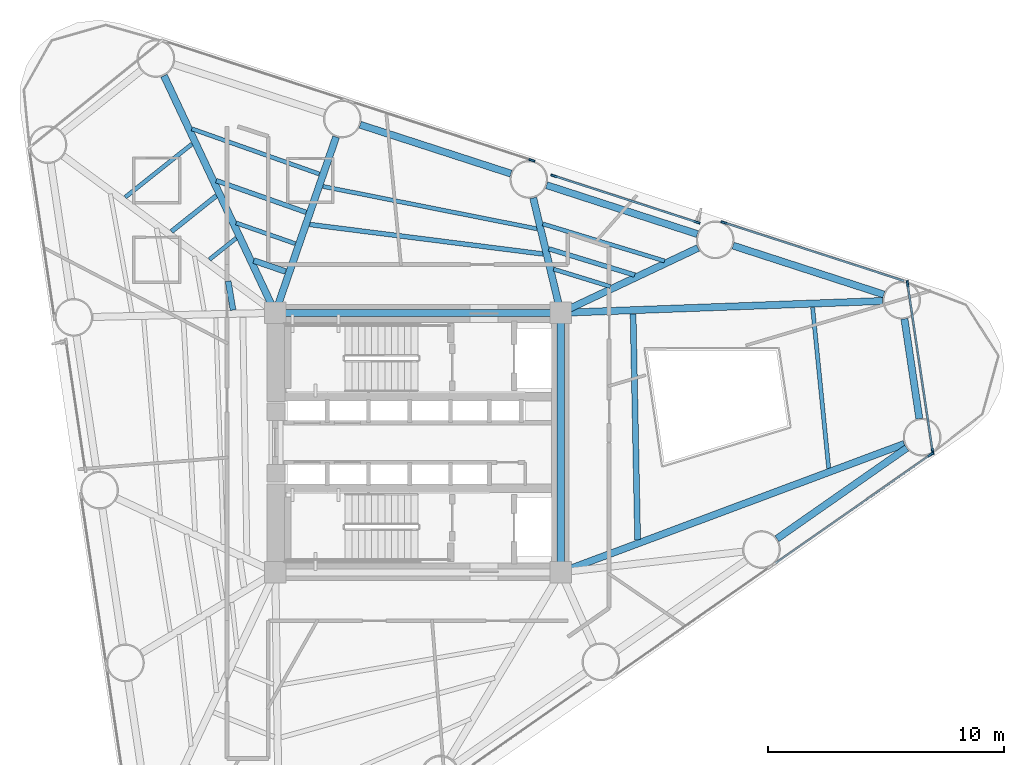
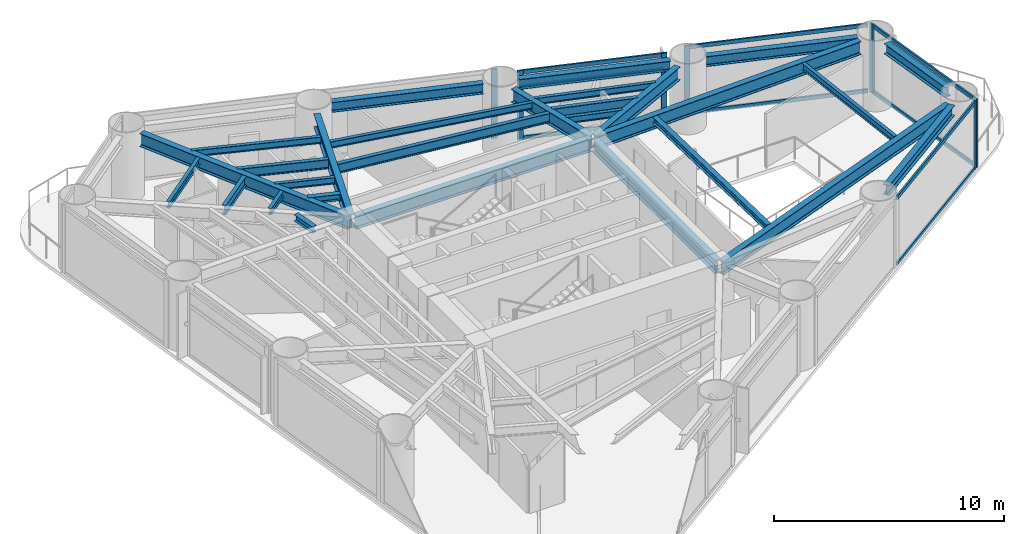
# One storey, part 3 of 9: 28 beams, 16 members, 5 elements without a shape of their own.
"""IFC4 building model written with IfcOpenShell, lengths in metres."""

from ifc_helpers import new_model, si_unit, direction, frame, origin, origin_2d, place, context, subcontext, project, spatial, rectangle, i_section, extrude, source, transform, mapped, material, layer, layer_set, material_profile, profile_set, type_object, element, aggregate, save


model = new_model("IFC4")

# Units and contexts
model_context = context("Model", 3, precision=1e-05, world=origin(), true_north=direction((0.0, 1.0)))
body_context = subcontext(model_context, "Body", "Model", "MODEL_VIEW")
ifc_project = project(units=[si_unit("LENGTHUNIT", "METRE"), si_unit("AREAUNIT", "SQUARE_METRE"), si_unit("VOLUMEUNIT", "CUBIC_METRE"), si_unit("PLANEANGLEUNIT", "RADIAN"), si_unit("MASSUNIT", "GRAM", prefix="KILO")], contexts=[model_context])

# Site, building, storey
site_placement = place(None, origin())
site = spatial("IfcSite", under=ifc_project, at=site_placement, CompositionType="ELEMENT")
building_placement = place(site_placement, origin())
building = spatial("IfcBuilding", under=site, at=building_placement, Name="Yunling Apex Tower", CompositionType="ELEMENT")
storey_placement = place(building_placement, frame((0.0, 0.0, 73.550048828125)))
storey = spatial("IfcBuildingStorey", under=building, at=storey_placement, Name="L19", CompositionType="ELEMENT", Elevation=73.550048828125)

# Beams
ifc_material_1 = material(Name="Steel Q355B", Category="steel")
ifc_material_profile_1 = material_profile(ifc_material_1, i_section(OverallWidth=0.300048828125, OverallDepth=0.699951171875, WebThickness=0.012939453125, FlangeThickness=0.02392578125, FilletRadius=0.02587890625, at=origin_2d()))
ifc_profile_set_1 = profile_set([ifc_material_profile_1], Name="Steel Q355B")
beam_type_1 = type_object("IfcBeamType", Name="BG-PRI-3", PredefinedType="USERDEFINED", material=ifc_profile_set_1)
shared_shape_1 = source(origin(), body_context, "Body", "SweptSolid", [
    extrude(i_section(OverallWidth=0.300048828125, OverallDepth=0.699951171875, WebThickness=0.012939453125, FlangeThickness=0.02392578125, FilletRadius=0.02587890625, at=origin_2d()), origin(), (0.0, 0.0, 1.0), 11.7998046875),
])
beam_1_placement = place(storey_placement, frame((5.89990234375, 5.5, 3.21484375), z_axis=(-1.0, 0.0, 0.0), x_axis=(0.0, -1.0, 0.0)))
element("IfcBeam", 1, at=beam_1_placement, inside=storey, type_object=beam_type_1, Name="L19 Core Ring Tie Beam 3", ObjectType="GIRDER", PredefinedType="USERDEFINED", context=body_context, shape_type="MappedRepresentation", body=[
    mapped(shared_shape_1, transform((0.0, 0.0, 0.0), scale=1.0)),
])
shared_shape_2 = source(origin(), body_context, "Body", "SweptSolid", [
    extrude(i_section(OverallWidth=0.300048828125, OverallDepth=0.699951171875, WebThickness=0.012939453125, FlangeThickness=0.02392578125, FilletRadius=0.02587890625, at=origin_2d()), origin(), (0.0, 0.0, 1.0), 10.7001953125),
])
beam_2_placement = place(storey_placement, frame((6.050048828125, -5.35009765625, 3.21484375), z_axis=(0.0, 1.0, 0.0), x_axis=(-1.0, 0.0, 0.0)))
element("IfcBeam", 2, at=beam_2_placement, inside=storey, type_object=beam_type_1, Name="L19 Core Ring Tie Beam 2", ObjectType="GIRDER", PredefinedType="USERDEFINED", context=body_context, shape_type="MappedRepresentation", body=[
    mapped(shared_shape_2, transform((0.0, 0.0, 0.0), scale=1.0)),
])
ifc_material_profile_2 = material_profile(ifc_material_1, i_section(OverallWidth=0.300048828125, OverallDepth=0.5400390625, WebThickness=0.011962890625, FlangeThickness=0.02001953125, FilletRadius=0.02392578125, at=origin_2d()))
ifc_profile_set_2 = profile_set([ifc_material_profile_2], Name="Steel Q355B")
beam_type_2 = type_object("IfcBeamType", Name="BP-SPN-1", PredefinedType="SPANDREL", material=ifc_profile_set_2)
shared_shape_3 = source(origin(), body_context, "Body", "SweptSolid", [
    extrude(i_section(OverallWidth=0.300048828125, OverallDepth=0.5400390625, WebThickness=0.011962890625, FlangeThickness=0.02001953125, FilletRadius=0.02392578125, at=origin_2d()), origin(), (0.0, 0.0, 1.0), 6.721435546875),
])
for number, where, z_axis, x_axis, name in (
    (3, (15.212158203125, -4.08056640625, 3.294921875), (0.81955772083, 0.572996633697, 0.0), (-0.572996633697, 0.81955772083, 0.0), "L19 Perimeter Spandrel Beam 4"),
    (4, (19.748291015625, 6.277099609375, 3.294921875), (-0.95126256707, 0.308382114415, 0.0), (-0.308382114415, -0.95126256707, 0.0), "L19 Perimeter Spandrel Beam 6"),
    (5, (3.939453125, 11.401611328125, 3.294921875), (-0.95126256707, 0.308382114415, 0.0), (-0.308382114415, -0.95126256707, 0.0), "L19 Perimeter Spandrel Beam 8"),
):
    element("IfcBeam", number, at=place(storey_placement, frame(where, z_axis=z_axis, x_axis=x_axis)), inside=storey, type_object=beam_type_2, Name=name, PredefinedType="SPANDREL", context=body_context, shape_type="MappedRepresentation", body=[
        mapped(shared_shape_3, transform((0.0, 0.0, 0.0), scale=1.0)),
    ])
shared_shape_4 = source(origin(), body_context, "Body", "SweptSolid", [
    extrude(i_section(OverallWidth=0.300048828125, OverallDepth=0.5400390625, WebThickness=0.011962890625, FlangeThickness=0.02001953125, FilletRadius=0.02392578125, at=origin_2d()), origin(), (0.0, 0.0, 1.0), 4.283203125),
])
beam_3_placement = place(storey_placement, frame((21.25390625, 1.010986328125, 3.294921875), z_axis=(-0.147802479388, 0.989016899293, 0.0), x_axis=(-0.989016899293, -0.147802479388, 0.0)))
element("IfcBeam", 6, at=beam_3_placement, inside=storey, type_object=beam_type_2, Name="L19 Perimeter Spandrel Beam 5", PredefinedType="SPANDREL", context=body_context, shape_type="MappedRepresentation", body=[
    mapped(shared_shape_4, transform((0.0, 0.0, 0.0), scale=1.0)),
])
shared_shape_5 = source(origin(), body_context, "Body", "SweptSolid", [
    extrude(i_section(OverallWidth=0.300048828125, OverallDepth=0.5400390625, WebThickness=0.011962890625, FlangeThickness=0.02001953125, FilletRadius=0.02392578125, at=origin_2d()), origin(), (0.0, 0.0, 1.0), 6.72119140625),
])
beam_4_placement = place(storey_placement, frame((11.84375, 8.83935546875, 3.294921875), z_axis=(-0.951259112593, 0.308392770197, 0.0), x_axis=(-0.308392770197, -0.951259112593, 0.0)))
element("IfcBeam", 7, at=beam_4_placement, inside=storey, type_object=beam_type_2, Name="L19 Perimeter Spandrel Beam 7", PredefinedType="SPANDREL", context=body_context, shape_type="MappedRepresentation", body=[
    mapped(shared_shape_5, transform((0.0, 0.0, 0.0), scale=1.0)),
])
shared_shape_6 = source(origin(), body_context, "Body", "SweptSolid", [
    extrude(i_section(OverallWidth=0.300048828125, OverallDepth=0.699951171875, WebThickness=0.012939453125, FlangeThickness=0.02392578125, FilletRadius=0.02587890625, at=origin_2d()), origin(), (0.0, 0.0, 1.0), 15.46826171875),
])
beam_5_placement = place(storey_placement, frame((20.614501953125, -0.05712890625, 3.21484375), z_axis=(-0.936727481876, -0.350059458804, 0.0), x_axis=(0.350059458804, -0.936727481876, 0.0)))
element("IfcBeam", 8, at=beam_5_placement, inside=storey, type_object=beam_type_1, Name="L19 Radial Primary Girder R05", ObjectType="GIRDER", PredefinedType="USERDEFINED", context=body_context, shape_type="MappedRepresentation", body=[
    mapped(shared_shape_6, transform((0.0, 0.0, 0.0), scale=1.0)),
])
shared_shape_7 = source(origin(), body_context, "Body", "SweptSolid", [
    extrude(i_section(OverallWidth=0.300048828125, OverallDepth=0.699951171875, WebThickness=0.012939453125, FlangeThickness=0.02392578125, FilletRadius=0.02587890625, at=origin_2d()), origin(), (0.0, 0.0, 1.0), 13.575439453125),
])
beam_6_placement = place(storey_placement, frame((19.696044921875, 6.002685546875, 3.21484375), z_axis=(-0.99932215556, -0.036813440575, 0.0), x_axis=(0.036813440575, -0.99932215556, 0.0)))
element("IfcBeam", 9, at=beam_6_placement, inside=storey, type_object=beam_type_1, Name="L19 Radial Primary Girder R06", ObjectType="GIRDER", PredefinedType="USERDEFINED", context=body_context, shape_type="MappedRepresentation", body=[
    mapped(shared_shape_7, transform((0.0, 0.0, 0.0), scale=1.0)),
])
shared_shape_8 = source(origin(), body_context, "Body", "SweptSolid", [
    extrude(i_section(OverallWidth=0.300048828125, OverallDepth=0.699951171875, WebThickness=0.012939453125, FlangeThickness=0.02392578125, FilletRadius=0.02587890625, at=origin_2d()), origin(), (0.0, 0.0, 1.0), 6.35546875),
])
beam_7_placement = place(storey_placement, frame((11.86865234375, 8.24951171875, 3.21484375), z_axis=(-0.90414025985, -0.427235755196, 0.0), x_axis=(0.427235755196, -0.90414025985, 0.0)))
element("IfcBeam", 10, at=beam_7_placement, inside=storey, type_object=beam_type_1, Name="L19 Radial Primary Girder R07", ObjectType="GIRDER", PredefinedType="USERDEFINED", context=body_context, shape_type="MappedRepresentation", body=[
    mapped(shared_shape_8, transform((0.0, 0.0, 0.0), scale=1.0)),
])
shared_shape_9 = source(origin(), body_context, "Body", "SweptSolid", [
    extrude(i_section(OverallWidth=0.300048828125, OverallDepth=0.699951171875, WebThickness=0.012939453125, FlangeThickness=0.02392578125, FilletRadius=0.02587890625, at=origin_2d()), origin(), (0.0, 0.0, 1.0), 4.928955078125),
])
beam_8_placement = place(storey_placement, frame((4.883056640625, 10.37109375, 3.21484375), z_axis=(0.233002001977, -0.972476255276, 0.0), x_axis=(0.972476255276, 0.233002001977, 0.0)))
element("IfcBeam", 11, at=beam_8_placement, inside=storey, type_object=beam_type_1, Name="L19 Radial Primary Girder R08", ObjectType="GIRDER", PredefinedType="USERDEFINED", context=body_context, shape_type="MappedRepresentation", body=[
    mapped(shared_shape_9, transform((0.0, 0.0, 0.0), scale=1.0)),
])
shared_shape_10 = source(origin(), body_context, "Body", "SweptSolid", [
    extrude(i_section(OverallWidth=0.300048828125, OverallDepth=0.699951171875, WebThickness=0.012939453125, FlangeThickness=0.02392578125, FilletRadius=0.02587890625, at=origin_2d()), origin(), (0.0, 0.0, 1.0), 7.807861328125),
])
beam_9_placement = place(storey_placement, frame((-3.473388671875, 12.955322265625, 3.21484375), z_axis=(-0.326658398033, -0.945142471268, 0.0), x_axis=(0.945142471268, -0.326658398033, 0.0)))
element("IfcBeam", 12, at=beam_9_placement, inside=storey, type_object=beam_type_1, Name="L19 Radial Primary Girder R09", ObjectType="GIRDER", PredefinedType="USERDEFINED", context=body_context, shape_type="MappedRepresentation", body=[
    mapped(shared_shape_10, transform((0.0, 0.0, 0.0), scale=1.0)),
])
shared_shape_11 = source(origin(), body_context, "Body", "SweptSolid", [
    extrude(i_section(OverallWidth=0.300048828125, OverallDepth=0.699951171875, WebThickness=0.012939453125, FlangeThickness=0.02392578125, FilletRadius=0.02587890625, at=origin_2d()), origin(), (0.0, 0.0, 1.0), 11.0234375),
])
beam_10_placement = place(storey_placement, frame((-10.7705078125, 15.550048828125, 3.21484375), z_axis=(0.425144169149, -0.905125646216, 0.0), x_axis=(0.905125646216, 0.425144169149, 0.0)))
element("IfcBeam", 13, at=beam_10_placement, inside=storey, type_object=beam_type_1, Name="L19 Radial Primary Girder R10", ObjectType="GIRDER", PredefinedType="USERDEFINED", context=body_context, shape_type="MappedRepresentation", body=[
    mapped(shared_shape_11, transform((0.0, 0.0, 0.0), scale=1.0)),
])
ifc_material_profile_3 = material_profile(ifc_material_1, i_section(OverallWidth=0.175048828125, OverallDepth=0.35009765625, WebThickness=0.007080078125, FlangeThickness=0.010986328125, FilletRadius=0.013916015625, at=origin_2d()))
ifc_profile_set_3 = profile_set([ifc_material_profile_3], Name="Steel Q355B")
beam_type_3 = type_object("IfcBeamType", Name="BJ-JST-1", PredefinedType="JOIST", material=ifc_profile_set_3)
shared_shape_12 = source(origin(), body_context, "Body", "SweptSolid", [
    extrude(i_section(OverallWidth=0.175048828125, OverallDepth=0.35009765625, WebThickness=0.007080078125, FlangeThickness=0.010986328125, FilletRadius=0.013916015625, at=origin_2d()), origin(), (0.0, 0.0, 1.0), 6.856689453125),
])
beam_11_placement = place(storey_placement, frame((17.410888671875, -1.089111328125, 3.389892578125), z_axis=(-0.099697612772, 0.995017781754, 0.0), x_axis=(-0.995017781754, -0.099697612772, 0.0)))
element("IfcBeam", 14, at=beam_11_placement, inside=storey, type_object=beam_type_3, Name="L19 Composite Floor Joist BJ1-5", PredefinedType="JOIST", context=body_context, shape_type="MappedRepresentation", body=[
    mapped(shared_shape_12, transform((0.0, 0.0, 0.0), scale=1.0)),
])
ifc_material_profile_4 = material_profile(ifc_material_1, i_section(OverallWidth=0.25, OverallDepth=0.340087890625, WebThickness=0.009033203125, FlangeThickness=0.013916015625, FilletRadius=0.01806640625, at=origin_2d()))
ifc_profile_set_4 = profile_set([ifc_material_profile_4], Name="Steel Q355B")
beam_type_4 = type_object("IfcBeamType", Name="BJ-JST-2", PredefinedType="JOIST", material=ifc_profile_set_4)
shared_shape_13 = source(origin(), body_context, "Body", "SweptSolid", [
    extrude(i_section(OverallWidth=0.25, OverallDepth=0.340087890625, WebThickness=0.009033203125, FlangeThickness=0.013916015625, FilletRadius=0.01806640625, at=origin_2d()), origin(), (0.0, 0.0, 1.0), 9.57568359375),
])
beam_12_placement = place(storey_placement, frame((9.309326171875, -4.120849609375, 3.39501953125), z_axis=(-0.020014350968, 0.999799692816, 0.0), x_axis=(-0.999799692816, -0.020014350968, 0.0)))
element("IfcBeam", 15, at=beam_12_placement, inside=storey, type_object=beam_type_4, Name="L19 Composite Floor Joist BJ2-5", PredefinedType="JOIST", context=body_context, shape_type="MappedRepresentation", body=[
    mapped(shared_shape_13, transform((0.0, 0.0, 0.0), scale=1.0)),
])
ifc_material_profile_5 = material_profile(ifc_material_1, i_section(OverallWidth=0.199951171875, OverallDepth=0.5, WebThickness=0.010009765625, FlangeThickness=0.01611328125, FilletRadius=0.02001953125, at=origin_2d()))
ifc_profile_set_5 = profile_set([ifc_material_profile_5], Name="Steel Q355B")
beam_type_5 = type_object("IfcBeamType", Name="BS-SEC-2", PredefinedType="BEAM", material=ifc_profile_set_5)
shared_shape_14 = source(origin(), body_context, "Body", "SweptSolid", [
    extrude(i_section(OverallWidth=0.199951171875, OverallDepth=0.5, WebThickness=0.010009765625, FlangeThickness=0.01611328125, FilletRadius=0.02001953125, at=origin_2d()), origin(), (0.0, 0.0, 1.0), 3.812255859375),
])
beam_13_placement = place(storey_placement, frame((9.187255859375, 7.1015625, 3.31494140625), z_axis=(-0.956390339833, 0.292091625819, 0.0), x_axis=(-0.292091625819, -0.956390339833, 0.0)))
element("IfcBeam", 16, at=beam_13_placement, inside=storey, type_object=beam_type_5, Name="L19 Composite Floor Beam BS-7", PredefinedType="BEAM", context=body_context, shape_type="MappedRepresentation", body=[
    mapped(shared_shape_14, transform((0.0, 0.0, 0.0), scale=1.0)),
])
shared_shape_15 = source(origin(), body_context, "Body", "SweptSolid", [
    extrude(i_section(OverallWidth=0.175048828125, OverallDepth=0.35009765625, WebThickness=0.007080078125, FlangeThickness=0.010986328125, FilletRadius=0.013916015625, at=origin_2d()), origin(), (0.0, 0.0, 1.0), 5.396484375),
])
beam_14_placement = place(storey_placement, frame((10.451416015625, 7.698486328125, 3.389892578125), z_axis=(-0.95665799, 0.291213822077, 0.0), x_axis=(-0.291213822077, -0.95665799, 0.0)))
element("IfcBeam", 17, at=beam_14_placement, inside=storey, type_object=beam_type_3, Name="L19 Composite Floor Joist BJ1-7", PredefinedType="JOIST", context=body_context, shape_type="MappedRepresentation", body=[
    mapped(shared_shape_15, transform((0.0, 0.0, 0.0), scale=1.0)),
])
shared_shape_16 = source(origin(), body_context, "Body", "SweptSolid", [
    extrude(i_section(OverallWidth=0.175048828125, OverallDepth=0.35009765625, WebThickness=0.007080078125, FlangeThickness=0.010986328125, FilletRadius=0.013916015625, at=origin_2d()), origin(), (0.0, 0.0, 1.0), 2.516357421875),
])
beam_15_placement = place(storey_placement, frame((8.153076171875, 6.613037109375, 3.389892578125), z_axis=(-0.955871264671, 0.293785849515, 0.0), x_axis=(-0.293785849515, -0.955871264671, 0.0)))
element("IfcBeam", 18, at=beam_15_placement, inside=storey, type_object=beam_type_3, Name="L19 Composite Floor Joist BJ3-7", PredefinedType="JOIST", context=body_context, shape_type="MappedRepresentation", body=[
    mapped(shared_shape_16, transform((0.0, 0.0, 0.0), scale=1.0)),
])
shared_shape_17 = source(origin(), body_context, "Body", "SweptSolid", [
    extrude(i_section(OverallWidth=0.199951171875, OverallDepth=0.5, WebThickness=0.010009765625, FlangeThickness=0.01611328125, FilletRadius=0.02001953125, at=origin_2d()), origin(), (0.0, 0.0, 1.0), 9.967529296875),
])
beam_16_placement = place(storey_placement, frame((5.298583984375, 7.994384765625, 3.31494140625), z_axis=(-0.992092895005, 0.125505727681, 0.0), x_axis=(-0.125505727681, -0.992092895005, 0.0)))
element("IfcBeam", 19, at=beam_16_placement, inside=storey, type_object=beam_type_5, Name="L19 Composite Floor Beam BS-8", PredefinedType="BEAM", context=body_context, shape_type="MappedRepresentation", body=[
    mapped(shared_shape_17, transform((0.0, 0.0, 0.0), scale=1.0)),
])
shared_shape_18 = source(origin(), body_context, "Body", "SweptSolid", [
    extrude(i_section(OverallWidth=0.175048828125, OverallDepth=0.35009765625, WebThickness=0.007080078125, FlangeThickness=0.010986328125, FilletRadius=0.013916015625, at=origin_2d()), origin(), (0.0, 0.0, 1.0), 9.254638671875),
])
beam_17_placement = place(storey_placement, frame((5.047607421875, 9.06005859375, 3.389892578125), z_axis=(-0.98094926536, 0.194264095472, 0.0), x_axis=(-0.194264095472, -0.98094926536, 0.0)))
element("IfcBeam", 20, at=beam_17_placement, inside=storey, type_object=beam_type_3, Name="L19 Composite Floor Joist BJ1-8", PredefinedType="JOIST", context=body_context, shape_type="MappedRepresentation", body=[
    mapped(shared_shape_18, transform((0.0, 0.0, 0.0), scale=1.0)),
])
shared_shape_19 = source(origin(), body_context, "Body", "SweptSolid", [
    extrude(i_section(OverallWidth=0.199951171875, OverallDepth=0.5, WebThickness=0.010009765625, FlangeThickness=0.01611328125, FilletRadius=0.02001953125, at=origin_2d()), origin(), (0.0, 0.0, 1.0), 4.04150390625),
])
beam_18_placement = place(storey_placement, frame((-4.74658203125, 9.761474609375, 3.31494140625), z_axis=(-0.942979180686, 0.332851715924, 0.0), x_axis=(-0.332851715924, -0.942979180686, 0.0)))
element("IfcBeam", 21, at=beam_18_placement, inside=storey, type_object=beam_type_5, Name="L19 Composite Floor Beam BS-9", PredefinedType="BEAM", context=body_context, shape_type="MappedRepresentation", body=[
    mapped(shared_shape_19, transform((0.0, 0.0, 0.0), scale=1.0)),
])
shared_shape_20 = source(origin(), body_context, "Body", "SweptSolid", [
    extrude(i_section(OverallWidth=0.175048828125, OverallDepth=0.35009765625, WebThickness=0.007080078125, FlangeThickness=0.010986328125, FilletRadius=0.013916015625, at=origin_2d()), origin(), (0.0, 0.0, 1.0), 5.733154296875),
])
beam_19_placement = place(storey_placement, frame((-4.185302734375, 11.38525390625, 3.389892578125), z_axis=(-0.942485311423, 0.334247569553, 0.0), x_axis=(-0.334247569553, -0.942485311423, 0.0)))
element("IfcBeam", 22, at=beam_19_placement, inside=storey, type_object=beam_type_3, Name="L19 Composite Floor Joist BJ1-9", PredefinedType="JOIST", context=body_context, shape_type="MappedRepresentation", body=[
    mapped(shared_shape_20, transform((0.0, 0.0, 0.0), scale=1.0)),
])
shared_shape_21 = source(origin(), body_context, "Body", "SweptSolid", [
    extrude(i_section(OverallWidth=0.175048828125, OverallDepth=0.35009765625, WebThickness=0.007080078125, FlangeThickness=0.010986328125, FilletRadius=0.013916015625, at=origin_2d()), origin(), (0.0, 0.0, 1.0), 2.657470703125),
])
beam_20_placement = place(storey_placement, frame((-5.205810546875, 8.432861328125, 3.389892578125), z_axis=(-0.943816811427, 0.330469100623, 0.0), x_axis=(-0.330469100623, -0.943816811427, 0.0)))
element("IfcBeam", 23, at=beam_20_placement, inside=storey, type_object=beam_type_3, Name="L19 Composite Floor Joist BJ3-9", PredefinedType="JOIST", context=body_context, shape_type="MappedRepresentation", body=[
    mapped(shared_shape_21, transform((0.0, 0.0, 0.0), scale=1.0)),
])
shared_shape_22 = source(origin(), body_context, "Body", "SweptSolid", [
    extrude(i_section(OverallWidth=0.25, OverallDepth=0.340087890625, WebThickness=0.009033203125, FlangeThickness=0.013916015625, FilletRadius=0.01806640625, at=origin_2d()), origin(), (0.0, 0.0, 1.0), 1.42724609375),
])
beam_21_placement = place(storey_placement, frame((-5.614013671875, 7.251220703125, 3.39501953125), z_axis=(-0.94564715029, 0.325194506639, 0.0), x_axis=(-0.325194506639, -0.94564715029, 0.0)))
element("IfcBeam", 24, at=beam_21_placement, inside=storey, type_object=beam_type_4, Name="L19 Composite Floor Joist BJ2-9", PredefinedType="JOIST", context=body_context, shape_type="MappedRepresentation", body=[
    mapped(shared_shape_22, transform((0.0, 0.0, 0.0), scale=1.0)),
])
shared_shape_23 = source(origin(), body_context, "Body", "SweptSolid", [
    extrude(i_section(OverallWidth=0.199951171875, OverallDepth=0.5, WebThickness=0.010009765625, FlangeThickness=0.01611328125, FilletRadius=0.02001953125, at=origin_2d()), origin(), (0.0, 0.0, 1.0), 2.4287109375),
])
beam_22_placement = place(storey_placement, frame((-8.552490234375, 10.46142578125, 3.31494140625), z_axis=(-0.782093234133, -0.62316143424, 0.0), x_axis=(0.62316143424, -0.782093234133, 0.0)))
element("IfcBeam", 25, at=beam_22_placement, inside=storey, type_object=beam_type_5, Name="L19 Composite Floor Beam BS-10", PredefinedType="BEAM", context=body_context, shape_type="MappedRepresentation", body=[
    mapped(shared_shape_23, transform((0.0, 0.0, 0.0), scale=1.0)),
])
shared_shape_24 = source(origin(), body_context, "Body", "SweptSolid", [
    extrude(i_section(OverallWidth=0.175048828125, OverallDepth=0.35009765625, WebThickness=0.007080078125, FlangeThickness=0.010986328125, FilletRadius=0.013916015625, at=origin_2d()), origin(), (0.0, 0.0, 1.0), 3.62060546875),
])
beam_23_placement = place(storey_placement, frame((-9.58349609375, 12.656494140625, 3.389892578125), z_axis=(-0.782123735438, -0.623123151925, 0.0), x_axis=(0.623123151925, -0.782123735438, 0.0)))
element("IfcBeam", 26, at=beam_23_placement, inside=storey, type_object=beam_type_3, Name="L19 Composite Floor Joist BJ1-10", PredefinedType="JOIST", context=body_context, shape_type="MappedRepresentation", body=[
    mapped(shared_shape_24, transform((0.0, 0.0, 0.0), scale=1.0)),
])
shared_shape_25 = source(origin(), body_context, "Body", "SweptSolid", [
    extrude(i_section(OverallWidth=0.175048828125, OverallDepth=0.35009765625, WebThickness=0.007080078125, FlangeThickness=0.010986328125, FilletRadius=0.013916015625, at=origin_2d()), origin(), (0.0, 0.0, 1.0), 1.453369140625),
])
beam_24_placement = place(storey_placement, frame((-7.708740234375, 8.66552734375, 3.389892578125), z_axis=(-0.78201477261, -0.62325989396, 0.0), x_axis=(0.62325989396, -0.78201477261, 0.0)))
element("IfcBeam", 27, at=beam_24_placement, inside=storey, type_object=beam_type_3, Name="L19 Composite Floor Joist BJ3-10", PredefinedType="JOIST", context=body_context, shape_type="MappedRepresentation", body=[
    mapped(shared_shape_25, transform((0.0, 0.0, 0.0), scale=1.0)),
])
shared_shape_26 = source(origin(), body_context, "Body", "SweptSolid", [
    extrude(i_section(OverallWidth=0.25, OverallDepth=0.340087890625, WebThickness=0.009033203125, FlangeThickness=0.013916015625, FilletRadius=0.01806640625, at=origin_2d()), origin(), (0.0, 0.0, 1.0), 1.242431640625),
])
beam_25_placement = place(storey_placement, frame((-8.05078125, 6.84228515625, 3.39501953125), z_axis=(0.168412893697, -0.985716540004, 0.0), x_axis=(0.985716540004, 0.168412893697, 0.0)))
element("IfcBeam", 28, at=beam_25_placement, inside=storey, type_object=beam_type_4, Name="L19 Composite Floor Joist BJ2-11", PredefinedType="JOIST", context=body_context, shape_type="MappedRepresentation", body=[
    mapped(shared_shape_26, transform((0.0, 0.0, 0.0), scale=1.0)),
])

# Curtain wall, member
ifc_material_2 = material(Name="Bronze anodised aluminium", Category="aluminium")
ifc_layer = layer(ifc_material_2, 0.260009765625)
ifc_layer_set = layer_set([ifc_layer], Name="Bronze anodised aluminium")
curtain_wall_type = type_object("IfcCurtainWallType", Name="CW-SYS-2", PredefinedType="NOTDEFINED", material=ifc_layer_set)
curtain_wall_1_placement = place(storey_placement, origin())
curtain_wall_1 = element("IfcCurtainWall", 29, at=curtain_wall_1_placement, inside=storey, type_object=curtain_wall_type, Name="CW-L19-F1-B4", PredefinedType="NOTDEFINED")
ifc_material_profile_6 = material_profile(ifc_material_2, rectangle(XDim=0.0849609375, YDim=0.260009765625, at=origin_2d()))
ifc_profile_set_6 = profile_set([ifc_material_profile_6], Name="Bronze anodised aluminium")
member_type_1 = type_object("IfcMemberType", Name="CW-MUL-2", PredefinedType="MULLION", material=ifc_profile_set_6)
shared_shape_27 = source(origin(), body_context, "Body", "SweptSolid", [
    extrude(rectangle(XDim=0.0849609375, YDim=0.260009765625, at=origin_2d()), origin(), (0.0, 0.0, 1.0), 3.6650390625),
])
member_1_placement = place(storey_placement, frame((21.735107421875, -0.50830078125, -0.050048828125), z_axis=(0.0, 0.0, 1.0), x_axis=(-0.573004358875, 0.819552319691, 0.0)))
member_1 = element("IfcMember", 30, at=member_1_placement, type_object=member_type_1, Name="CW-SYS-2 mullion 2", PredefinedType="MULLION", context=body_context, shape_type="MappedRepresentation", body=[
    mapped(shared_shape_27, transform((0.0, 0.0, 0.0), scale=1.0)),
])

# Curtain wall, members
curtain_wall_2_placement = place(storey_placement, origin())
curtain_wall_2 = element("IfcCurtainWall", 31, at=curtain_wall_2_placement, inside=storey, type_object=curtain_wall_type, Name="CW-L19-CRN1", PredefinedType="NOTDEFINED")
member_2_placement = place(storey_placement, frame((21.817626953125, -0.379638671875, -0.050048828125), z_axis=(0.0, 0.0, 1.0), x_axis=(-0.989017551472, -0.147798115278, 0.0)))
member_2 = element("IfcMember", 32, at=member_2_placement, type_object=member_type_1, Name="CW-SYS-2 mullion 1", PredefinedType="MULLION", context=body_context, shape_type="MappedRepresentation", body=[
    mapped(shared_shape_27, transform((0.0, 0.0, 0.0), scale=1.0)),
])
member_3_placement = place(storey_placement, frame((20.75341796875, 6.741943359375, -0.050048828125), z_axis=(0.0, 0.0, 1.0), x_axis=(-0.989017551472, -0.147798115278, 0.0)))
member_3 = element("IfcMember", 33, at=member_3_placement, type_object=member_type_1, Name="CW-SYS-2 mullion 2", PredefinedType="MULLION", context=body_context, shape_type="MappedRepresentation", body=[
    mapped(shared_shape_27, transform((0.0, 0.0, 0.0), scale=1.0)),
])

# Curtain wall, member
curtain_wall_3_placement = place(storey_placement, origin())
curtain_wall_3 = element("IfcCurtainWall", 34, at=curtain_wall_3_placement, inside=storey, type_object=curtain_wall_type, Name="CW-L19-F2-B1", PredefinedType="NOTDEFINED")
member_4_placement = place(storey_placement, frame((12.96533203125, 9.327392578125, -0.050048828125), z_axis=(0.0, 0.0, 1.0), x_axis=(-0.30835735341, -0.951270593784, 0.0)))
member_4 = element("IfcMember", 35, at=member_4_placement, type_object=member_type_1, Name="CW-SYS-2 mullion 2", PredefinedType="MULLION", context=body_context, shape_type="MappedRepresentation", body=[
    mapped(shared_shape_27, transform((0.0, 0.0, 0.0), scale=1.0)),
])

# Curtain wall, members
curtain_wall_4_placement = place(storey_placement, origin())
curtain_wall_4 = element("IfcCurtainWall", 36, at=curtain_wall_4_placement, inside=storey, type_object=curtain_wall_type, Name="CW-L19-F2-B2", PredefinedType="NOTDEFINED")
member_5_placement = place(storey_placement, frame((11.828369140625, 9.338623046875, -0.050048828125), z_axis=(0.0, 0.0, 1.0), x_axis=(-0.308351975608, -0.951272336999, 0.0)))
member_5 = element("IfcMember", 37, at=member_5_placement, type_object=member_type_1, Name="CW-SYS-2 mullion 1", PredefinedType="MULLION", context=body_context, shape_type="MappedRepresentation", body=[
    mapped(shared_shape_27, transform((0.0, 0.0, 0.0), scale=1.0)),
])
member_6_placement = place(storey_placement, frame((5.75537109375, 11.30712890625, -0.050048828125), z_axis=(0.0, 0.0, 1.0), x_axis=(-0.308351975608, -0.951272336999, 0.0)))
member_6 = element("IfcMember", 38, at=member_6_placement, type_object=member_type_1, Name="CW-SYS-2 mullion 2", PredefinedType="MULLION", context=body_context, shape_type="MappedRepresentation", body=[
    mapped(shared_shape_27, transform((0.0, 0.0, 0.0), scale=1.0)),
])

# Curtain wall, member
curtain_wall_5_placement = place(storey_placement, origin())
curtain_wall_5 = element("IfcCurtainWall", 39, at=curtain_wall_5_placement, inside=storey, type_object=curtain_wall_type, Name="CW-L19-F2-B3", PredefinedType="NOTDEFINED")
member_7_placement = place(storey_placement, frame((4.827880859375, 11.965087890625, -0.050048828125), z_axis=(0.0, 0.0, 1.0), x_axis=(-0.308368457544, -0.951266994272, 0.0)))
member_7 = element("IfcMember", 40, at=member_7_placement, type_object=member_type_1, Name="CW-SYS-2 mullion 1", PredefinedType="MULLION", context=body_context, shape_type="MappedRepresentation", body=[
    mapped(shared_shape_27, transform((0.0, 0.0, 0.0), scale=1.0)),
])
aggregate(curtain_wall_5, [member_7])

# Member
ifc_material_profile_7 = material_profile(ifc_material_2, rectangle(XDim=0.0849609375, YDim=0.199951171875, at=origin_2d()))
ifc_profile_set_7 = profile_set([ifc_material_profile_7], Name="Bronze anodised aluminium")
member_type_2 = type_object("IfcMemberType", Name="CW-TRN-2", PredefinedType="USERDEFINED", material=ifc_profile_set_7)
shared_shape_28 = source(origin(), body_context, "Body", "SweptSolid", [
    extrude(rectangle(XDim=0.0849609375, YDim=0.199951171875, at=origin_2d()), origin(), (0.0, 0.0, 1.0), 6.3076171875),
])
member_8_placement = place(storey_placement, frame((11.7919921875, 9.350341796875, 0.04248046875), z_axis=(-0.951267321757, 0.308367447306, 0.0), x_axis=(-0.308367447306, -0.951267321757, 0.0)))
member_8 = element("IfcMember", 41, at=member_8_placement, type_object=member_type_2, Name="CW-SYS-2 transom 1.1", ObjectType="TRANSOM", PredefinedType="USERDEFINED", context=body_context, shape_type="MappedRepresentation", body=[
    mapped(shared_shape_28, transform((0.0, 0.0, 0.0), scale=1.0)),
])

member_9_placement = place(storey_placement, frame((11.7919921875, 9.350341796875, 2.71484375), z_axis=(-0.951267321757, 0.308367447306, 0.0), x_axis=(-0.308367447306, -0.951267321757, 0.0)))
member_9 = element("IfcMember", 42, at=member_9_placement, type_object=member_type_2, Name="CW-SYS-2 transom 1.2", ObjectType="TRANSOM", PredefinedType="USERDEFINED", context=body_context, shape_type="MappedRepresentation", body=[
    mapped(shared_shape_28, transform((0.0, 0.0, 0.0), scale=1.0)),
])

member_10_placement = place(storey_placement, frame((11.7919921875, 9.350341796875, 3.5224609375), z_axis=(-0.951267321757, 0.308367447306, 0.0), x_axis=(-0.308367447306, -0.951267321757, 0.0)))
member_10 = element("IfcMember", 43, at=member_10_placement, type_object=member_type_2, Name="CW-SYS-2 transom 1.3", ObjectType="TRANSOM", PredefinedType="USERDEFINED", context=body_context, shape_type="MappedRepresentation", body=[
    mapped(shared_shape_28, transform((0.0, 0.0, 0.0), scale=1.0)),
])

aggregate(curtain_wall_4, [member_5, member_6, member_8, member_9, member_10])

shared_shape_29 = source(origin(), body_context, "Body", "SweptSolid", [
    extrude(rectangle(XDim=0.0849609375, YDim=0.199951171875, at=origin_2d()), origin(), (0.0, 0.0, 1.0), 7.98779296875),
])
member_11_placement = place(storey_placement, frame((15.1572265625, -5.107177734375, 0.04248046875), z_axis=(0.819559176955, 0.572994550995, 0.0), x_axis=(-0.572994550995, 0.819559176955, 0.0)))
member_11 = element("IfcMember", 44, at=member_11_placement, type_object=member_type_2, Name="CW-SYS-2 transom 1.1", ObjectType="TRANSOM", PredefinedType="USERDEFINED", context=body_context, shape_type="MappedRepresentation", body=[
    mapped(shared_shape_29, transform((0.0, 0.0, 0.0), scale=1.0)),
])

member_12_placement = place(storey_placement, frame((15.1572265625, -5.107177734375, 3.5224609375), z_axis=(0.819559176955, 0.572994550995, 0.0), x_axis=(-0.572994550995, 0.819559176955, 0.0)))
member_12 = element("IfcMember", 45, at=member_12_placement, type_object=member_type_2, Name="CW-SYS-2 transom 1.2", ObjectType="TRANSOM", PredefinedType="USERDEFINED", context=body_context, shape_type="MappedRepresentation", body=[
    mapped(shared_shape_29, transform((0.0, 0.0, 0.0), scale=1.0)),
])

aggregate(curtain_wall_1, [member_1, member_11, member_12])

member_13_placement = place(storey_placement, frame((20.600341796875, 6.8525390625, 0.04248046875), z_axis=(-0.951270077756, 0.308358945331, 0.0), x_axis=(-0.308358945331, -0.951270077756, 0.0)))
member_13 = element("IfcMember", 46, at=member_13_placement, type_object=member_type_2, Name="CW-SYS-2 transom 1.1", ObjectType="TRANSOM", PredefinedType="USERDEFINED", context=body_context, shape_type="MappedRepresentation", body=[
    mapped(shared_shape_29, transform((0.0, 0.0, 0.0), scale=1.0)),
])

member_14_placement = place(storey_placement, frame((20.600341796875, 6.8525390625, 3.5224609375), z_axis=(-0.951270077756, 0.308358945331, 0.0), x_axis=(-0.308358945331, -0.951270077756, 0.0)))
member_14 = element("IfcMember", 47, at=member_14_placement, type_object=member_type_2, Name="CW-SYS-2 transom 1.2", ObjectType="TRANSOM", PredefinedType="USERDEFINED", context=body_context, shape_type="MappedRepresentation", body=[
    mapped(shared_shape_29, transform((0.0, 0.0, 0.0), scale=1.0)),
])

aggregate(curtain_wall_3, [member_4, member_13, member_14])

shared_shape_30 = source(origin(), body_context, "Body", "SweptSolid", [
    extrude(rectangle(XDim=0.0849609375, YDim=0.199951171875, at=origin_2d()), origin(), (0.0, 0.0, 1.0), 7.1240234375),
])
member_15_placement = place(storey_placement, frame((21.81201171875, -0.341796875, 0.04248046875), z_axis=(-0.147804185278, 0.989016644357, 0.0), x_axis=(-0.989016644357, -0.147804185278, 0.0)))
member_15 = element("IfcMember", 48, at=member_15_placement, type_object=member_type_2, Name="CW-SYS-2 transom 1.1", ObjectType="TRANSOM", PredefinedType="USERDEFINED", context=body_context, shape_type="MappedRepresentation", body=[
    mapped(shared_shape_30, transform((0.0, 0.0, 0.0), scale=1.0)),
])

member_16_placement = place(storey_placement, frame((21.81201171875, -0.341796875, 3.5224609375), z_axis=(-0.147804185278, 0.989016644357, 0.0), x_axis=(-0.989016644357, -0.147804185278, 0.0)))
member_16 = element("IfcMember", 49, at=member_16_placement, type_object=member_type_2, Name="CW-SYS-2 transom 1.2", ObjectType="TRANSOM", PredefinedType="USERDEFINED", context=body_context, shape_type="MappedRepresentation", body=[
    mapped(shared_shape_30, transform((0.0, 0.0, 0.0), scale=1.0)),
])

aggregate(curtain_wall_2, [member_2, member_3, member_15, member_16])

save(model, "model.ifc")
